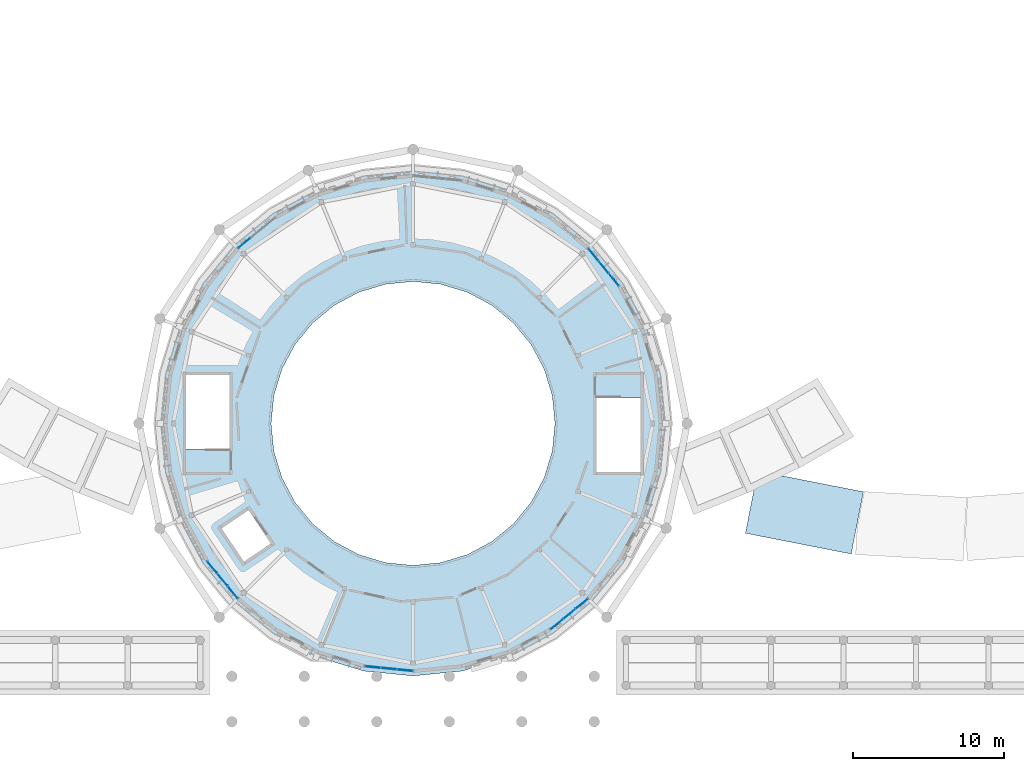
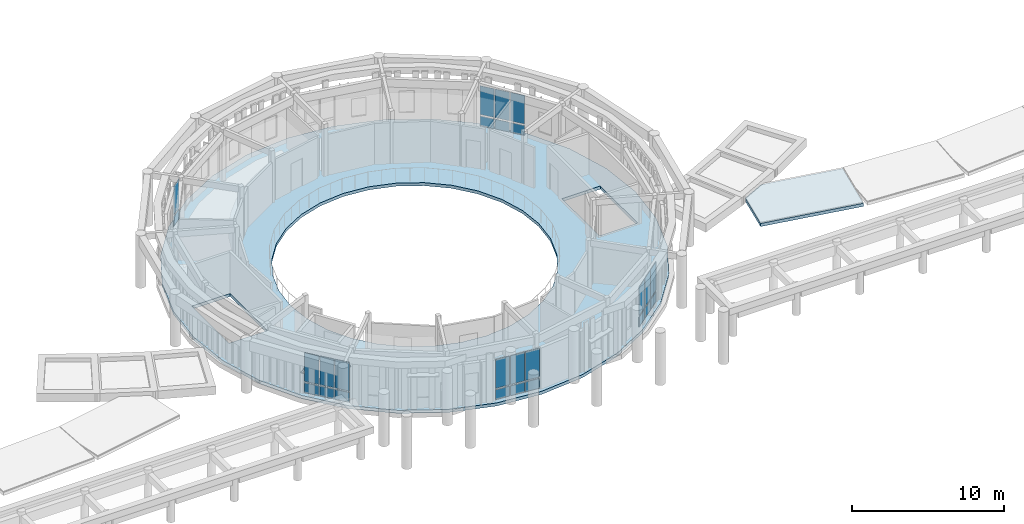
# One storey, part 33 of 80: 26 plates, 2 slabs, 5 elements without a shape of their own.
"""IFC4 building model written with IfcOpenShell, lengths in metres."""

from ifc_helpers import new_model, si_unit, direction, frame, origin, origin_2d, place, context, subcontext, project, spatial, polyline, rectangle, outline, extrude, material, layer, layer_set, type_object, element, aggregate, save


model = new_model("IFC4")

# Units and contexts
model_context = context("Model", 3, precision=1e-05, world=origin(), true_north=direction((0.0, 1.0)))
body_context = subcontext(model_context, "Body", "Model", "MODEL_VIEW")
ifc_project = project(units=[si_unit("LENGTHUNIT", "METRE"), si_unit("AREAUNIT", "SQUARE_METRE"), si_unit("VOLUMEUNIT", "CUBIC_METRE"), si_unit("PLANEANGLEUNIT", "RADIAN"), si_unit("MASSUNIT", "GRAM", prefix="KILO")], contexts=[model_context])

# Site, building, storey
site_placement = place(None, origin())
site = spatial("IfcSite", under=ifc_project, at=site_placement, CompositionType="ELEMENT")
building_placement = place(site_placement, origin())
building = spatial("IfcBuilding", under=site, at=building_placement, Name="Aldenvaro Health Centre", CompositionType="ELEMENT")
storey_placement = place(building_placement, frame((0.0, 0.0, 4.550048828125)))
storey = spatial("IfcBuildingStorey", under=building, at=storey_placement, Name="L01", CompositionType="ELEMENT", Elevation=4.550048828125)

# Curtain wall, plates
ifc_material_1 = material(Name="Anodised Aluminium 6063-T6", Category="aluminium")
ifc_layer_1 = layer(ifc_material_1, 0.179931640625, Name="Anodised Aluminium 6063-T6", Category="aluminium")
ifc_layer_set_1 = layer_set([ifc_layer_1], Name="Anodised Aluminium 6063-T6")
curtain_wall_type = type_object("IfcCurtainWallType", Name="CW-ROT-01", PredefinedType="NOTDEFINED", material=ifc_layer_set_1)
curtain_wall_1_placement = place(storey_placement, origin())
curtain_wall_1 = element("IfcCurtainWall", 1, at=curtain_wall_1_placement, inside=storey, type_object=curtain_wall_type, Name="D1 L01 curtain wall bay 05", PredefinedType="NOTDEFINED")
ifc_material_2 = material(Name="Low-E Double Glazing IGU", Category="glass")
ifc_layer_2 = layer(ifc_material_2, 0.028076171875, Name="Low-E Double Glazing IGU", Category="glass")
ifc_layer_set_2 = layer_set([ifc_layer_2], Name="Low-E Double Glazing IGU")
plate_type_1 = type_object("IfcPlateType", Name="CWP-IGU-28", PredefinedType="CURTAIN_PANEL", material=ifc_layer_set_2)
plate_1_placement = place(storey_placement, frame((98.18310546875, 8.06298828125, 0.9599609375), z_axis=(0.0, 0.0, 1.0), x_axis=(-0.773194586776, -0.634168850528, 0.0)))
plate_1 = element("IfcPlate", 2, at=plate_1_placement, type_object=plate_type_1, Name="D1 L01 curtain wall bay 05 vision glazing 1", PredefinedType="CURTAIN_PANEL", context=body_context, shape_type="SweptSolid", body=[
    extrude(rectangle(XDim=1.001953125, YDim=0.028076171875, at=origin_2d()), origin(), (0.0, 0.0, 1.0), 2.2939453125),
])
plate_2_placement = place(storey_placement, frame((97.35400390625, 7.383056640625, 0.9599609375), z_axis=(0.0, 0.0, 1.0), x_axis=(-0.773194586776, -0.634168850528, 0.0)))
plate_2 = element("IfcPlate", 3, at=plate_2_placement, type_object=plate_type_1, Name="D1 L01 curtain wall bay 05 vision glazing 2", PredefinedType="CURTAIN_PANEL", context=body_context, shape_type="SweptSolid", body=[
    extrude(rectangle(XDim=1.001953125, YDim=0.028076171875, at=origin_2d()), origin(), (0.0, 0.0, 1.0), 2.2939453125),
])
plate_3_placement = place(storey_placement, frame((96.52490234375, 6.7041015625, 0.9599609375), z_axis=(0.0, 0.0, 1.0), x_axis=(-0.773194586776, -0.634168850528, 0.0)))
plate_3 = element("IfcPlate", 4, at=plate_3_placement, type_object=plate_type_1, Name="D1 L01 curtain wall bay 05 vision glazing 3", PredefinedType="CURTAIN_PANEL", context=body_context, shape_type="SweptSolid", body=[
    extrude(rectangle(XDim=1.001953125, YDim=0.028076171875, at=origin_2d()), origin(), (0.0, 0.0, 1.0), 2.2939453125),
])

curtain_wall_2_placement = place(storey_placement, origin())
curtain_wall_2 = element("IfcCurtainWall", 5, at=curtain_wall_2_placement, inside=storey, type_object=curtain_wall_type, Name="D1 L01 curtain wall bay 09", PredefinedType="NOTDEFINED")
plate_4_placement = place(storey_placement, frame((86.467041015625, 3.652099609375, 0.9599609375), z_axis=(0.0, 0.0, 1.0), x_axis=(-0.995186971968, 0.097994340783, 0.0)))
plate_4 = element("IfcPlate", 6, at=plate_4_placement, type_object=plate_type_1, Name="D1 L01 curtain wall bay 09 vision glazing 1", PredefinedType="CURTAIN_PANEL", context=body_context, shape_type="SweptSolid", body=[
    extrude(rectangle(XDim=1.0009765625, YDim=0.028076171875, at=origin_2d()), origin(), (0.0, 0.0, 1.0), 2.2939453125),
])
plate_5_placement = place(storey_placement, frame((85.39990234375, 3.758056640625, 0.9599609375), z_axis=(0.0, 0.0, 1.0), x_axis=(-0.995186971968, 0.097994340783, 0.0)))
plate_5 = element("IfcPlate", 7, at=plate_5_placement, type_object=plate_type_1, Name="D1 L01 curtain wall bay 09 vision glazing 2", PredefinedType="CURTAIN_PANEL", context=body_context, shape_type="SweptSolid", body=[
    extrude(rectangle(XDim=1.0009765625, YDim=0.028076171875, at=origin_2d()), origin(), (0.0, 0.0, 1.0), 2.2939453125),
])
plate_6_placement = place(storey_placement, frame((84.333984375, 3.862060546875, 0.9599609375), z_axis=(0.0, 0.0, 1.0), x_axis=(-0.995186971968, 0.097994340783, 0.0)))
plate_6 = element("IfcPlate", 8, at=plate_6_placement, type_object=plate_type_1, Name="D1 L01 curtain wall bay 09 vision glazing 3", PredefinedType="CURTAIN_PANEL", context=body_context, shape_type="SweptSolid", body=[
    extrude(rectangle(XDim=1.0009765625, YDim=0.028076171875, at=origin_2d()), origin(), (0.0, 0.0, 1.0), 2.2939453125),
])

curtain_wall_3_placement = place(storey_placement, origin())
curtain_wall_3 = element("IfcCurtainWall", 9, at=curtain_wall_3_placement, inside=storey, type_object=curtain_wall_type, Name="D1 L01 curtain wall bay 13", PredefinedType="NOTDEFINED")
plate_7_placement = place(storey_placement, frame((75.06298828125, 8.81689453125, 0.9599609375), z_axis=(0.0, 0.0, 1.0), x_axis=(-0.634168850528, 0.773194586776, 0.0)))
plate_7 = element("IfcPlate", 10, at=plate_7_placement, type_object=plate_type_1, Name="D1 L01 curtain wall bay 13 vision glazing 1", PredefinedType="CURTAIN_PANEL", context=body_context, shape_type="SweptSolid", body=[
    extrude(rectangle(XDim=1.001953125, YDim=0.028076171875, at=origin_2d()), origin(), (0.0, 0.0, 1.0), 2.2939453125),
])
plate_8_placement = place(storey_placement, frame((74.383056640625, 9.64599609375, 0.9599609375), z_axis=(0.0, 0.0, 1.0), x_axis=(-0.634168850528, 0.773194586776, 0.0)))
plate_8 = element("IfcPlate", 11, at=plate_8_placement, type_object=plate_type_1, Name="D1 L01 curtain wall bay 13 vision glazing 2", PredefinedType="CURTAIN_PANEL", context=body_context, shape_type="SweptSolid", body=[
    extrude(rectangle(XDim=1.001953125, YDim=0.028076171875, at=origin_2d()), origin(), (0.0, 0.0, 1.0), 2.2939453125),
])
plate_9_placement = place(storey_placement, frame((73.7041015625, 10.47509765625, 0.9599609375), z_axis=(0.0, 0.0, 1.0), x_axis=(-0.634168850528, 0.773194586776, 0.0)))
plate_9 = element("IfcPlate", 12, at=plate_9_placement, type_object=plate_type_1, Name="D1 L01 curtain wall bay 13 vision glazing 3", PredefinedType="CURTAIN_PANEL", context=body_context, shape_type="SweptSolid", body=[
    extrude(rectangle(XDim=1.001953125, YDim=0.028076171875, at=origin_2d()), origin(), (0.0, 0.0, 1.0), 2.2939453125),
])

# Curtain wall, plate
curtain_wall_4_placement = place(storey_placement, origin())
curtain_wall_4 = element("IfcCurtainWall", 13, at=curtain_wall_4_placement, inside=storey, type_object=curtain_wall_type, Name="D1 L01 curtain wall bay 21", PredefinedType="NOTDEFINED")
plate_10_placement = place(storey_placement, frame((75.81689453125, 31.93701171875, 0.9599609375), z_axis=(0.0, 0.0, 1.0), x_axis=(0.773194586776, 0.634168850528, 0.0)))
plate_10 = element("IfcPlate", 14, at=plate_10_placement, type_object=plate_type_1, Name="D1 L01 curtain wall bay 21 vision glazing 1", PredefinedType="CURTAIN_PANEL", context=body_context, shape_type="SweptSolid", body=[
    extrude(rectangle(XDim=1.001953125, YDim=0.028076171875, at=origin_2d()), origin(), (0.0, 0.0, 1.0), 2.2939453125),
])

# Curtain wall, plates
curtain_wall_5_placement = place(storey_placement, origin())
curtain_wall_5 = element("IfcCurtainWall", 15, at=curtain_wall_5_placement, inside=storey, type_object=curtain_wall_type, Name="D1 L01 curtain wall bay 29", PredefinedType="NOTDEFINED")
plate_11_placement = place(storey_placement, frame((98.93701171875, 31.18310546875, 0.9599609375), z_axis=(0.0, 0.0, 1.0), x_axis=(0.634168850528, -0.773194586776, 0.0)))
plate_11 = element("IfcPlate", 16, at=plate_11_placement, type_object=plate_type_1, Name="D1 L01 curtain wall bay 29 vision glazing 1", PredefinedType="CURTAIN_PANEL", context=body_context, shape_type="SweptSolid", body=[
    extrude(rectangle(XDim=1.001953125, YDim=0.028076171875, at=origin_2d()), origin(), (0.0, 0.0, 1.0), 2.2939453125),
])
plate_12_placement = place(storey_placement, frame((99.616943359375, 30.35400390625, 0.9599609375), z_axis=(0.0, 0.0, 1.0), x_axis=(0.634168850528, -0.773194586776, 0.0)))
plate_12 = element("IfcPlate", 17, at=plate_12_placement, type_object=plate_type_1, Name="D1 L01 curtain wall bay 29 vision glazing 2", PredefinedType="CURTAIN_PANEL", context=body_context, shape_type="SweptSolid", body=[
    extrude(rectangle(XDim=1.001953125, YDim=0.028076171875, at=origin_2d()), origin(), (0.0, 0.0, 1.0), 2.2939453125),
])
plate_13_placement = place(storey_placement, frame((100.2958984375, 29.52490234375, 0.9599609375), z_axis=(0.0, 0.0, 1.0), x_axis=(0.634168850528, -0.773194586776, 0.0)))
plate_13 = element("IfcPlate", 18, at=plate_13_placement, type_object=plate_type_1, Name="D1 L01 curtain wall bay 29 vision glazing 3", PredefinedType="CURTAIN_PANEL", context=body_context, shape_type="SweptSolid", body=[
    extrude(rectangle(XDim=1.001953125, YDim=0.028076171875, at=origin_2d()), origin(), (0.0, 0.0, 1.0), 2.2939453125),
])

# Plate
ifc_material_3 = material(Name="Insulated Aluminium Spandrel", Category="aluminium")
ifc_layer_3 = layer(ifc_material_3, 0.035888671875, Name="Insulated Aluminium Spandrel", Category="aluminium")
ifc_layer_set_3 = layer_set([ifc_layer_3], Name="Insulated Aluminium Spandrel")
plate_type_2 = type_object("IfcPlateType", Name="CWP-SPN-36", PredefinedType="CURTAIN_PANEL", material=ifc_layer_set_3)
plate_14_placement = place(storey_placement, frame((98.18310546875, 8.06298828125, 0.06005859375), z_axis=(0.0, 0.0, 1.0), x_axis=(-0.773194586776, -0.634168850528, 0.0)))
plate_14 = element("IfcPlate", 19, at=plate_14_placement, type_object=plate_type_2, Name="D1 L01 curtain wall bay 05 spandrel panel 1", PredefinedType="CURTAIN_PANEL", context=body_context, shape_type="SweptSolid", body=[
    extrude(rectangle(XDim=1.001953125, YDim=0.035888671875, at=origin_2d()), origin(), (0.0, 0.0, 1.0), 0.780029296875),
])

plate_15_placement = place(storey_placement, frame((97.35400390625, 7.383056640625, 0.06005859375), z_axis=(0.0, 0.0, 1.0), x_axis=(-0.773194586776, -0.634168850528, 0.0)))
plate_15 = element("IfcPlate", 20, at=plate_15_placement, type_object=plate_type_2, Name="D1 L01 curtain wall bay 05 spandrel panel 2", PredefinedType="CURTAIN_PANEL", context=body_context, shape_type="SweptSolid", body=[
    extrude(rectangle(XDim=1.001953125, YDim=0.035888671875, at=origin_2d()), origin(), (0.0, 0.0, 1.0), 0.780029296875),
])

plate_16_placement = place(storey_placement, frame((96.52490234375, 6.7041015625, 0.06005859375), z_axis=(0.0, 0.0, 1.0), x_axis=(-0.773194586776, -0.634168850528, 0.0)))
plate_16 = element("IfcPlate", 21, at=plate_16_placement, type_object=plate_type_2, Name="D1 L01 curtain wall bay 05 spandrel panel 3", PredefinedType="CURTAIN_PANEL", context=body_context, shape_type="SweptSolid", body=[
    extrude(rectangle(XDim=1.001953125, YDim=0.035888671875, at=origin_2d()), origin(), (0.0, 0.0, 1.0), 0.780029296875),
])

aggregate(curtain_wall_1, [plate_14, plate_1, plate_15, plate_2, plate_16, plate_3])

plate_17_placement = place(storey_placement, frame((86.467041015625, 3.652099609375, 0.06005859375), z_axis=(0.0, 0.0, 1.0), x_axis=(-0.995186971968, 0.097994340783, 0.0)))
plate_17 = element("IfcPlate", 22, at=plate_17_placement, type_object=plate_type_2, Name="D1 L01 curtain wall bay 09 spandrel panel 1", PredefinedType="CURTAIN_PANEL", context=body_context, shape_type="SweptSolid", body=[
    extrude(rectangle(XDim=1.0009765625, YDim=0.035888671875, at=origin_2d()), origin(), (0.0, 0.0, 1.0), 0.780029296875),
])

plate_18_placement = place(storey_placement, frame((85.39990234375, 3.758056640625, 0.06005859375), z_axis=(0.0, 0.0, 1.0), x_axis=(-0.995186971968, 0.097994340783, 0.0)))
plate_18 = element("IfcPlate", 23, at=plate_18_placement, type_object=plate_type_2, Name="D1 L01 curtain wall bay 09 spandrel panel 2", PredefinedType="CURTAIN_PANEL", context=body_context, shape_type="SweptSolid", body=[
    extrude(rectangle(XDim=1.0009765625, YDim=0.035888671875, at=origin_2d()), origin(), (0.0, 0.0, 1.0), 0.780029296875),
])

plate_19_placement = place(storey_placement, frame((84.333984375, 3.862060546875, 0.06005859375), z_axis=(0.0, 0.0, 1.0), x_axis=(-0.995186971968, 0.097994340783, 0.0)))
plate_19 = element("IfcPlate", 24, at=plate_19_placement, type_object=plate_type_2, Name="D1 L01 curtain wall bay 09 spandrel panel 3", PredefinedType="CURTAIN_PANEL", context=body_context, shape_type="SweptSolid", body=[
    extrude(rectangle(XDim=1.0009765625, YDim=0.035888671875, at=origin_2d()), origin(), (0.0, 0.0, 1.0), 0.780029296875),
])

aggregate(curtain_wall_2, [plate_17, plate_4, plate_18, plate_5, plate_19, plate_6])

plate_20_placement = place(storey_placement, frame((75.06298828125, 8.81689453125, 0.06005859375), z_axis=(0.0, 0.0, 1.0), x_axis=(-0.634168850528, 0.773194586776, 0.0)))
plate_20 = element("IfcPlate", 25, at=plate_20_placement, type_object=plate_type_2, Name="D1 L01 curtain wall bay 13 spandrel panel 1", PredefinedType="CURTAIN_PANEL", context=body_context, shape_type="SweptSolid", body=[
    extrude(rectangle(XDim=1.001953125, YDim=0.035888671875, at=origin_2d()), origin(), (0.0, 0.0, 1.0), 0.780029296875),
])

plate_21_placement = place(storey_placement, frame((74.383056640625, 9.64599609375, 0.06005859375), z_axis=(0.0, 0.0, 1.0), x_axis=(-0.634168850528, 0.773194586776, 0.0)))
plate_21 = element("IfcPlate", 26, at=plate_21_placement, type_object=plate_type_2, Name="D1 L01 curtain wall bay 13 spandrel panel 2", PredefinedType="CURTAIN_PANEL", context=body_context, shape_type="SweptSolid", body=[
    extrude(rectangle(XDim=1.001953125, YDim=0.035888671875, at=origin_2d()), origin(), (0.0, 0.0, 1.0), 0.780029296875),
])

plate_22_placement = place(storey_placement, frame((73.7041015625, 10.47509765625, 0.06005859375), z_axis=(0.0, 0.0, 1.0), x_axis=(-0.634168850528, 0.773194586776, 0.0)))
plate_22 = element("IfcPlate", 27, at=plate_22_placement, type_object=plate_type_2, Name="D1 L01 curtain wall bay 13 spandrel panel 3", PredefinedType="CURTAIN_PANEL", context=body_context, shape_type="SweptSolid", body=[
    extrude(rectangle(XDim=1.001953125, YDim=0.035888671875, at=origin_2d()), origin(), (0.0, 0.0, 1.0), 0.780029296875),
])

aggregate(curtain_wall_3, [plate_20, plate_7, plate_21, plate_8, plate_22, plate_9])

plate_23_placement = place(storey_placement, frame((75.81689453125, 31.93701171875, 0.06005859375), z_axis=(0.0, 0.0, 1.0), x_axis=(0.773194586776, 0.634168850528, 0.0)))
plate_23 = element("IfcPlate", 28, at=plate_23_placement, type_object=plate_type_2, Name="D1 L01 curtain wall bay 21 spandrel panel 1", PredefinedType="CURTAIN_PANEL", context=body_context, shape_type="SweptSolid", body=[
    extrude(rectangle(XDim=1.001953125, YDim=0.035888671875, at=origin_2d()), origin(), (0.0, 0.0, 1.0), 0.780029296875),
])

aggregate(curtain_wall_4, [plate_23, plate_10])

plate_24_placement = place(storey_placement, frame((98.93701171875, 31.18310546875, 0.06005859375), z_axis=(0.0, 0.0, 1.0), x_axis=(0.634168850528, -0.773194586776, 0.0)))
plate_24 = element("IfcPlate", 29, at=plate_24_placement, type_object=plate_type_2, Name="D1 L01 curtain wall bay 29 spandrel panel 1", PredefinedType="CURTAIN_PANEL", context=body_context, shape_type="SweptSolid", body=[
    extrude(rectangle(XDim=1.001953125, YDim=0.035888671875, at=origin_2d()), origin(), (0.0, 0.0, 1.0), 0.780029296875),
])

plate_25_placement = place(storey_placement, frame((99.616943359375, 30.35400390625, 0.06005859375), z_axis=(0.0, 0.0, 1.0), x_axis=(0.634168850528, -0.773194586776, 0.0)))
plate_25 = element("IfcPlate", 30, at=plate_25_placement, type_object=plate_type_2, Name="D1 L01 curtain wall bay 29 spandrel panel 2", PredefinedType="CURTAIN_PANEL", context=body_context, shape_type="SweptSolid", body=[
    extrude(rectangle(XDim=1.001953125, YDim=0.035888671875, at=origin_2d()), origin(), (0.0, 0.0, 1.0), 0.780029296875),
])

plate_26_placement = place(storey_placement, frame((100.2958984375, 29.52490234375, 0.06005859375), z_axis=(0.0, 0.0, 1.0), x_axis=(0.634168850528, -0.773194586776, 0.0)))
plate_26 = element("IfcPlate", 31, at=plate_26_placement, type_object=plate_type_2, Name="D1 L01 curtain wall bay 29 spandrel panel 3", PredefinedType="CURTAIN_PANEL", context=body_context, shape_type="SweptSolid", body=[
    extrude(rectangle(XDim=1.001953125, YDim=0.035888671875, at=origin_2d()), origin(), (0.0, 0.0, 1.0), 0.780029296875),
])

aggregate(curtain_wall_5, [plate_24, plate_11, plate_25, plate_12, plate_26, plate_13])

# Slabs
ifc_material_4 = material(Name="Cross-laminated timber CLT E1", Category="wood")
ifc_layer_4 = layer(ifc_material_4, 0.2451171875, Name="Cross-laminated timber CLT E1", Category="wood")
ifc_layer_set_4 = layer_set([ifc_layer_4], Name="Cross-laminated timber CLT E1")
slab_type_1 = type_object("IfcSlabType", Name="SLB-CLT-245", PredefinedType="FLOOR", material=ifc_layer_set_4)
slab_1_placement = place(storey_placement, frame((0.0, 0.0, -0.2451171875)))
element("IfcSlab", 32, at=slab_1_placement, inside=storey, type_object=slab_type_1, Name="D1 L01 floor slab", PredefinedType="FLOOR", context=body_context, shape_type="SweptSolid", body=[
    extrude(outline(polyline([(103.719970703125, 20.0), (103.39892578125, 23.261962890625), (102.447021484375, 26.39794921875), (100.902099609375, 29.2890625), (98.822998046875, 31.822998046875), (96.2890625, 33.902099609375), (93.39794921875, 35.447021484375), (90.261962890625, 36.39892578125), (87.0, 36.719970703125), (83.738037109375, 36.39892578125), (80.60205078125, 35.447021484375), (77.7109375, 33.902099609375), (75.177001953125, 31.822998046875), (73.097900390625, 29.2890625), (71.552978515625, 26.39794921875), (70.60107421875, 23.261962890625), (70.280029296875, 20.0), (70.60107421875, 16.738037109375), (71.552978515625, 13.60205078125), (73.097900390625, 10.7109375), (75.177001953125, 8.177001953125), (77.7109375, 6.097900390625), (80.60205078125, 4.552978515625), (83.738037109375, 3.60107421875), (87.0, 3.280029296875), (90.261962890625, 3.60107421875), (93.39794921875, 4.552978515625), (96.2890625, 6.097900390625), (98.822998046875, 8.177001953125), (100.902099609375, 10.7109375), (102.447021484375, 13.60205078125), (103.39892578125, 16.738037109375), (103.719970703125, 20.0)]), holes=[polyline([(74.85009765625, 18.300048828125), (74.85009765625, 23.199951171875), (71.949951171875, 23.199951171875), (71.949951171875, 18.300048828125), (74.85009765625, 18.300048828125)]), polyline([(99.14990234375, 21.699951171875), (99.14990234375, 16.800048828125), (102.050048828125, 16.800048828125), (102.050048828125, 21.699951171875), (99.14990234375, 21.699951171875)]), polyline([(77.5849609375, 12.052001953125), (76.10302734375, 14.2490234375), (74.321044921875, 13.0458984375), (75.802978515625, 10.84912109375), (77.5849609375, 12.052001953125)]), polyline([(96.39990234375, 20.0), (96.218994140625, 18.166015625), (95.68408203125, 16.403076171875), (94.81591796875, 14.778076171875), (93.64697265625, 13.35302734375), (92.221923828125, 12.18408203125), (90.596923828125, 11.31591796875), (88.833984375, 10.781005859375), (87.0, 10.60009765625), (85.166015625, 10.781005859375), (83.403076171875, 11.31591796875), (81.778076171875, 12.18408203125), (80.35302734375, 13.35302734375), (79.18408203125, 14.778076171875), (78.31591796875, 16.403076171875), (77.781005859375, 18.166015625), (77.60009765625, 20.0), (77.781005859375, 21.833984375), (78.31591796875, 23.596923828125), (79.18408203125, 25.221923828125), (80.35302734375, 26.64697265625), (81.778076171875, 27.81591796875), (83.403076171875, 28.68408203125), (85.166015625, 29.218994140625), (87.0, 29.39990234375), (88.833984375, 29.218994140625), (90.596923828125, 28.68408203125), (92.221923828125, 27.81591796875), (93.64697265625, 26.64697265625), (94.81591796875, 25.221923828125), (95.68408203125, 23.596923828125), (96.218994140625, 21.833984375), (96.39990234375, 20.0)])]), origin(), (0.0, 0.0, 1.0), 0.2451171875),
])
ifc_material_5 = material(Name="Concrete f'c 40 MPa", Category="concrete")
ifc_layer_5 = layer(ifc_material_5, 0.25, Name="Concrete f'c 40 MPa", Category="concrete")
ifc_layer_set_5 = layer_set([ifc_layer_5], Name="Concrete f'c 40 MPa")
slab_type_2 = type_object("IfcSlabType", Name="SLB-ROOF-250", PredefinedType="ROOF", material=ifc_layer_set_5)
slab_2_placement = place(storey_placement, frame((0.0, 0.0, -0.25)))
element("IfcSlab", 33, at=slab_2_placement, inside=storey, type_object=slab_type_2, Name="South East Curved Peristyle Walkway Arc 1 roof slab", PredefinedType="ROOF", context=body_context, shape_type="SweptSolid", body=[
    extrude(outline(polyline([(116.823974609375, 15.47509765625), (116.01611328125, 11.35302734375), (109.008056640625, 12.72802734375), (109.60205078125, 15.756103515625), (111.260986328125, 16.56591796875), (116.823974609375, 15.47509765625)])), origin(), (0.0, 0.0, 1.0), 0.25),
])

save(model, "model.ifc")
